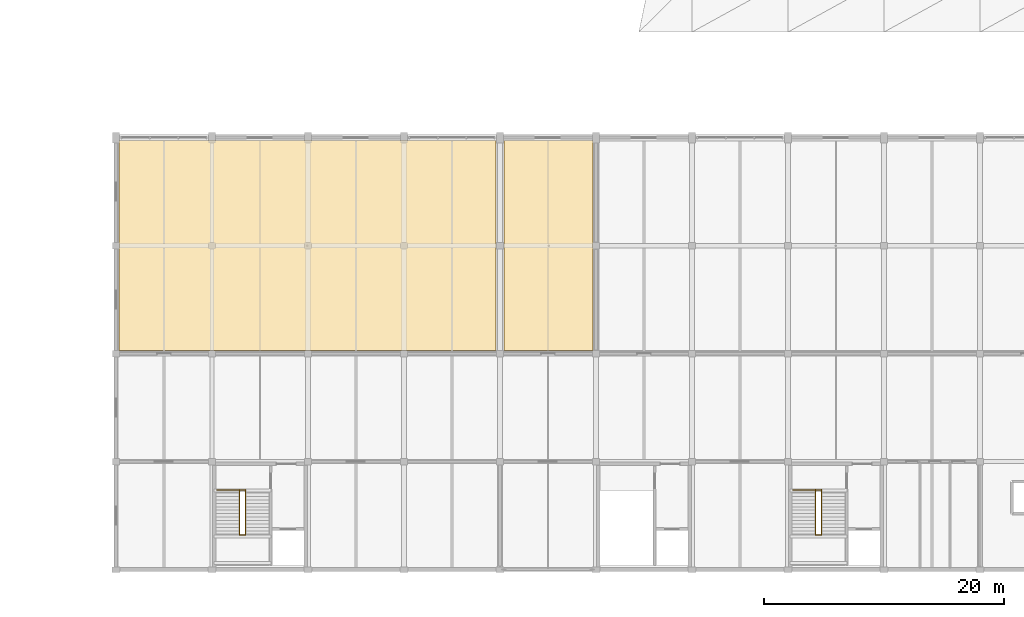
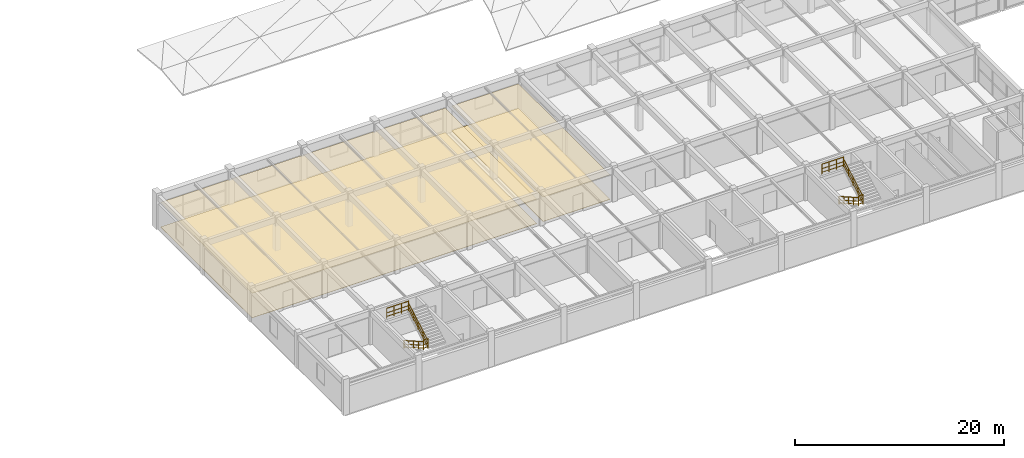
# One storey, part 60 of 63: 8 railings, 4 coverings.
"""IFC4 building model written with IfcOpenShell, lengths in metres."""

from ifc_helpers import new_model, si_unit, direction, frame, origin, origin_2d, place, context, subcontext, project, spatial, polyline, circle, outline, extrude, material, layer, layer_set, type_object, element, save


model = new_model("IFC4")

# Units and contexts
model_context = context("Model", 3, precision=1e-05, world=origin(), true_north=direction((0.0, 1.0)))
body_context = subcontext(model_context, "Body", "Model", "MODEL_VIEW")
ifc_project = project(units=[si_unit("LENGTHUNIT", "METRE"), si_unit("AREAUNIT", "SQUARE_METRE"), si_unit("VOLUMEUNIT", "CUBIC_METRE"), si_unit("PLANEANGLEUNIT", "RADIAN"), si_unit("MASSUNIT", "GRAM", prefix="KILO")], contexts=[model_context])

# Site, building, storey
site_placement = place(None, origin())
site = spatial("IfcSite", under=ifc_project, at=site_placement, CompositionType="ELEMENT")
building_placement = place(site_placement, origin())
building = spatial("IfcBuilding", under=site, at=building_placement, Name="Varnabhumi Central Station", CompositionType="ELEMENT")
storey_placement = place(building_placement, frame((0.0, 0.0, 20.39990234375)))
storey = spatial("IfcBuildingStorey", under=building, at=storey_placement, Name="L04", CompositionType="ELEMENT", Elevation=20.39990234375)

# Coverings
ifc_material_1 = material(Name="Mineral-fibre acoustic tile")
ifc_layer_1 = layer(ifc_material_1, 0.02490234375, Name="Mineral-fibre acoustic tile")
ifc_layer_set_1 = layer_set([ifc_layer_1], Name="Mineral-fibre acoustic tile")
covering_type_1 = type_object("IfcCoveringType", Name="COV-CEIL-ACOUSTIC", PredefinedType="CEILING", material=ifc_layer_set_1)
covering_1_placement = place(storey_placement, frame((0.0, 0.0, 2.8701171875)))
element("IfcCovering", 1, at=covering_1_placement, inside=storey, type_object=covering_type_1, Name="Electronic Interlocking and Station Kavach Relay Room Acoustic Ceiling", PredefinedType="CEILING", context=body_context, shape_type="SweptSolid", body=[
    extrude(outline(polyline([(32.25, 18.25), (63.64990234375, 18.25), (63.64990234375, 35.75), (32.25, 35.75), (32.25, 18.25)])), origin(), (0.0, 0.0, 1.0), 0.02490234375),
])
covering_2_placement = place(storey_placement, frame((0.0, 0.0, 2.8701171875)))
element("IfcCovering", 2, at=covering_2_placement, inside=storey, type_object=covering_type_1, Name="Electronic Interlocking and Station Kavach Relay Room Acoustic Ceiling", PredefinedType="CEILING", context=body_context, shape_type="SweptSolid", body=[
    extrude(outline(polyline([(64.35009765625, 18.25), (71.75, 18.25), (71.75, 35.75), (64.35009765625, 35.75), (64.35009765625, 18.25)])), origin(), (0.0, 0.0, 1.0), 0.02490234375),
])
ifc_material_2 = material(Name="Vitrified granite stone flooring", Category="masonry")
ifc_layer_2 = layer(ifc_material_2, 0.030029296875, Name="Vitrified granite stone flooring", Category="masonry")
ifc_layer_set_2 = layer_set([ifc_layer_2], Name="Vitrified granite stone flooring")
covering_type_2 = type_object("IfcCoveringType", Name="COV-FLOR-GRANITE", PredefinedType="FLOORING", material=ifc_layer_set_2)
covering_3_placement = place(storey_placement, origin())
element("IfcCovering", 3, at=covering_3_placement, inside=storey, type_object=covering_type_2, Name="Electronic Interlocking and Station Kavach Relay Room Granite Flooring", PredefinedType="FLOORING", context=body_context, shape_type="SweptSolid", body=[
    extrude(outline(polyline([(32.25, 18.25), (63.64990234375, 18.25), (63.64990234375, 35.75), (32.25, 35.75), (32.25, 18.25)])), origin(), (0.0, 0.0, 1.0), 0.030029296875),
])
covering_4_placement = place(storey_placement, origin())
element("IfcCovering", 4, at=covering_4_placement, inside=storey, type_object=covering_type_2, Name="Electronic Interlocking and Station Kavach Relay Room Granite Flooring", PredefinedType="FLOORING", context=body_context, shape_type="SweptSolid", body=[
    extrude(outline(polyline([(64.35009765625, 18.25), (71.75, 18.25), (71.75, 35.75), (64.35009765625, 35.75), (64.35009765625, 18.25)])), origin(), (0.0, 0.0, 1.0), 0.030029296875),
])

# Railings
ifc_material_3 = material(Name="Stainless steel Grade 316", Category="steel")
railing_type_1 = type_object("IfcRailingType", Name="RAIL-STAIR-GRD-1150", PredefinedType="GUARDRAIL", material=ifc_material_3)
railing_1_placement = place(storey_placement, frame((42.300048828125, 2.89501953125, 2.10009765625)))
element("IfcRailing", 5, at=railing_1_placement, inside=storey, type_object=railing_type_1, Name="ST-S1 L04 Half-Landing Well Guard", PredefinedType="GUARDRAIL", context=body_context, shape_type="SweptSolid", body=[
    extrude(circle(Radius=0.02392578125, at=origin_2d()), frame((0.0, 0.0, 1.1259765625), z_axis=(1.0, 0.0, 0.0), x_axis=(0.0, 1.0, 0.0)), (0.0, 0.0, 1.0), 0.5),
    extrude(circle(Radius=0.01416015625, at=origin_2d()), frame((0.0, 0.0, 0.597900390625), z_axis=(1.0, 0.0, 0.0), x_axis=(0.0, 1.0, 0.0)), (0.0, 0.0, 1.0), 0.5),
    extrude(circle(Radius=0.01416015625, at=origin_2d()), frame((0.0, 0.0, 0.18408203125), z_axis=(1.0, 0.0, 0.0), x_axis=(0.0, 1.0, 0.0)), (0.0, 0.0, 1.0), 0.5),
    extrude(circle(Radius=0.02099609375, at=origin_2d()), origin(), (0.0, 0.0, 1.0), 1.101806640625),
    extrude(circle(Radius=0.02099609375, at=origin_2d()), frame((0.5, 0.0, 0.0)), (0.0, 0.0, 1.0), 1.101806640625),
])
railing_2_placement = place(storey_placement, frame((40.39990234375, 6.639892578125, 4.2001953125)))
element("IfcRailing", 6, at=railing_2_placement, inside=storey, type_object=railing_type_1, Name="ST-S1 Top Well Guard", PredefinedType="GUARDRAIL", context=body_context, shape_type="SweptSolid", body=[
    extrude(circle(Radius=0.02392578125, at=origin_2d()), frame((0.0, 0.0, 1.1259765625), z_axis=(1.0, 0.0, 0.0), x_axis=(0.0, 1.0, 0.0)), (0.0, 0.0, 1.0), 2.400146484375),
    extrude(circle(Radius=0.01416015625, at=origin_2d()), frame((0.0, 0.0, 0.597900390625), z_axis=(1.0, 0.0, 0.0), x_axis=(0.0, 1.0, 0.0)), (0.0, 0.0, 1.0), 2.400146484375),
    extrude(circle(Radius=0.01416015625, at=origin_2d()), frame((0.0, 0.0, 0.18408203125), z_axis=(1.0, 0.0, 0.0), x_axis=(0.0, 1.0, 0.0)), (0.0, 0.0, 1.0), 2.400146484375),
    extrude(circle(Radius=0.02099609375, at=origin_2d()), origin(), (0.0, 0.0, 1.0), 1.101806640625),
    extrude(circle(Radius=0.02099609375, at=origin_2d()), frame((0.800048828125, 0.0, 0.0)), (0.0, 0.0, 1.0), 1.101806640625),
    extrude(circle(Radius=0.02099609375, at=origin_2d()), frame((1.60009765625, 0.0, 0.0)), (0.0, 0.0, 1.0), 1.101806640625),
    extrude(circle(Radius=0.02099609375, at=origin_2d()), frame((2.400146484375, 0.0, 0.0)), (0.0, 0.0, 1.0), 1.101806640625),
])
railing_3_placement = place(storey_placement, frame((90.300048828125, 2.89501953125, 2.10009765625)))
element("IfcRailing", 7, at=railing_3_placement, inside=storey, type_object=railing_type_1, Name="ST-S2 L04 Half-Landing Well Guard", PredefinedType="GUARDRAIL", context=body_context, shape_type="SweptSolid", body=[
    extrude(circle(Radius=0.02392578125, at=origin_2d()), frame((0.0, 0.0, 1.1259765625), z_axis=(1.0, 0.0, 0.0), x_axis=(0.0, 1.0, 0.0)), (0.0, 0.0, 1.0), 0.5),
    extrude(circle(Radius=0.01416015625, at=origin_2d()), frame((0.0, 0.0, 0.597900390625), z_axis=(1.0, 0.0, 0.0), x_axis=(0.0, 1.0, 0.0)), (0.0, 0.0, 1.0), 0.5),
    extrude(circle(Radius=0.01416015625, at=origin_2d()), frame((0.0, 0.0, 0.18408203125), z_axis=(1.0, 0.0, 0.0), x_axis=(0.0, 1.0, 0.0)), (0.0, 0.0, 1.0), 0.5),
    extrude(circle(Radius=0.02099609375, at=origin_2d()), origin(), (0.0, 0.0, 1.0), 1.101806640625),
    extrude(circle(Radius=0.02099609375, at=origin_2d()), frame((0.5, 0.0, 0.0)), (0.0, 0.0, 1.0), 1.101806640625),
])
railing_4_placement = place(storey_placement, frame((88.39990234375, 6.639892578125, 4.2001953125)))
element("IfcRailing", 8, at=railing_4_placement, inside=storey, type_object=railing_type_1, Name="ST-S2 Top Well Guard", PredefinedType="GUARDRAIL", context=body_context, shape_type="SweptSolid", body=[
    extrude(circle(Radius=0.02392578125, at=origin_2d()), frame((0.0, 0.0, 1.1259765625), z_axis=(1.0, 0.0, 0.0), x_axis=(0.0, 1.0, 0.0)), (0.0, 0.0, 1.0), 2.400146484375),
    extrude(circle(Radius=0.01416015625, at=origin_2d()), frame((0.0, 0.0, 0.597900390625), z_axis=(1.0, 0.0, 0.0), x_axis=(0.0, 1.0, 0.0)), (0.0, 0.0, 1.0), 2.400146484375),
    extrude(circle(Radius=0.01416015625, at=origin_2d()), frame((0.0, 0.0, 0.18408203125), z_axis=(1.0, 0.0, 0.0), x_axis=(0.0, 1.0, 0.0)), (0.0, 0.0, 1.0), 2.400146484375),
    extrude(circle(Radius=0.02099609375, at=origin_2d()), origin(), (0.0, 0.0, 1.0), 1.101806640625),
    extrude(circle(Radius=0.02099609375, at=origin_2d()), frame((0.800048828125, 0.0, 0.0)), (0.0, 0.0, 1.0), 1.101806640625),
    extrude(circle(Radius=0.02099609375, at=origin_2d()), frame((1.60009765625, 0.0, 0.0)), (0.0, 0.0, 1.0), 1.101806640625),
    extrude(circle(Radius=0.02099609375, at=origin_2d()), frame((2.400146484375, 0.0, 0.0)), (0.0, 0.0, 1.0), 1.101806640625),
])
railing_type_2 = type_object("IfcRailingType", Name="RAIL-STAIR-HR-920", PredefinedType="HANDRAIL", material=ifc_material_3)
railing_5_placement = place(storey_placement, frame((42.300048828125, 6.659912109375, 0.0)))
element("IfcRailing", 9, at=railing_5_placement, inside=storey, type_object=railing_type_2, Name="ST-S1 L04 Flight 1 Handrail", PredefinedType="HANDRAIL", context=body_context, shape_type="SweptSolid", body=[
    extrude(circle(Radius=0.02392578125, at=origin_2d()), frame((0.0, 0.0, 0.89599609375), z_axis=(0.0, -0.869952506034, 0.493135516106), x_axis=(1.0, 0.0, 0.0)), (0.0, 0.0, 1.0), 4.258544921875),
    extrude(circle(Radius=0.01416015625, at=origin_2d()), frame((0.0, 0.0, 0.478271484375), z_axis=(0.0, -0.869952506034, 0.493135516106), x_axis=(1.0, 0.0, 0.0)), (0.0, 0.0, 1.0), 4.258544921875),
    extrude(circle(Radius=0.01416015625, at=origin_2d()), frame((0.0, 0.0, 0.147216796875), z_axis=(0.0, -0.869952506034, 0.493135516106), x_axis=(1.0, 0.0, 0.0)), (0.0, 0.0, 1.0), 4.258544921875),
    extrude(circle(Radius=0.02099609375, at=origin_2d()), origin(), (0.0, 0.0, 1.0), 0.871826171875),
    extrude(circle(Radius=0.02099609375, at=origin_2d()), frame((0.0, -0.92626953125, 0.52490234375)), (0.0, 0.0, 1.0), 0.871826171875),
    extrude(circle(Radius=0.02099609375, at=origin_2d()), frame((0.0, -1.8525390625, 1.050048828125)), (0.0, 0.0, 1.0), 0.871826171875),
    extrude(circle(Radius=0.02099609375, at=origin_2d()), frame((0.0, -2.778564453125, 1.5751953125)), (0.0, 0.0, 1.0), 0.871826171875),
    extrude(circle(Radius=0.02099609375, at=origin_2d()), frame((0.0, -3.704833984375, 2.10009765625)), (0.0, 0.0, 1.0), 0.871826171875),
])
railing_6_placement = place(storey_placement, frame((42.800048828125, 2.955078125, 2.10009765625)))
element("IfcRailing", 10, at=railing_6_placement, inside=storey, type_object=railing_type_2, Name="ST-S1 L04 Flight 2 Handrail", PredefinedType="HANDRAIL", context=body_context, shape_type="SweptSolid", body=[
    extrude(circle(Radius=0.02392578125, at=origin_2d()), frame((0.0, 0.0, 0.89599609375), z_axis=(0.0, 0.869952506034, 0.493135516106), x_axis=(-1.0, 0.0, 0.0)), (0.0, 0.0, 1.0), 4.258544921875),
    extrude(circle(Radius=0.01416015625, at=origin_2d()), frame((0.0, 0.0, 0.478271484375), z_axis=(0.0, 0.869952506034, 0.493135516106), x_axis=(-1.0, 0.0, 0.0)), (0.0, 0.0, 1.0), 4.258544921875),
    extrude(circle(Radius=0.01416015625, at=origin_2d()), frame((0.0, 0.0, 0.147216796875), z_axis=(0.0, 0.869952506034, 0.493135516106), x_axis=(-1.0, 0.0, 0.0)), (0.0, 0.0, 1.0), 4.258544921875),
    extrude(circle(Radius=0.02099609375, at=origin_2d()), origin(), (0.0, 0.0, 1.0), 0.871826171875),
    extrude(circle(Radius=0.02099609375, at=origin_2d()), frame((0.0, 0.92626953125, 0.52490234375)), (0.0, 0.0, 1.0), 0.871826171875),
    extrude(circle(Radius=0.02099609375, at=origin_2d()), frame((0.0, 1.8525390625, 1.050048828125)), (0.0, 0.0, 1.0), 0.871826171875),
    extrude(circle(Radius=0.02099609375, at=origin_2d()), frame((0.0, 2.778564453125, 1.5751953125)), (0.0, 0.0, 1.0), 0.871826171875),
    extrude(circle(Radius=0.02099609375, at=origin_2d()), frame((0.0, 3.704833984375, 2.10009765625)), (0.0, 0.0, 1.0), 0.871826171875),
])
railing_7_placement = place(storey_placement, frame((90.300048828125, 6.659912109375, 0.0)))
element("IfcRailing", 11, at=railing_7_placement, inside=storey, type_object=railing_type_2, Name="ST-S2 L04 Flight 1 Handrail", PredefinedType="HANDRAIL", context=body_context, shape_type="SweptSolid", body=[
    extrude(circle(Radius=0.02392578125, at=origin_2d()), frame((0.0, 0.0, 0.89599609375), z_axis=(0.0, -0.869952506034, 0.493135516106), x_axis=(1.0, 0.0, 0.0)), (0.0, 0.0, 1.0), 4.258544921875),
    extrude(circle(Radius=0.01416015625, at=origin_2d()), frame((0.0, 0.0, 0.478271484375), z_axis=(0.0, -0.869952506034, 0.493135516106), x_axis=(1.0, 0.0, 0.0)), (0.0, 0.0, 1.0), 4.258544921875),
    extrude(circle(Radius=0.01416015625, at=origin_2d()), frame((0.0, 0.0, 0.147216796875), z_axis=(0.0, -0.869952506034, 0.493135516106), x_axis=(1.0, 0.0, 0.0)), (0.0, 0.0, 1.0), 4.258544921875),
    extrude(circle(Radius=0.02099609375, at=origin_2d()), origin(), (0.0, 0.0, 1.0), 0.871826171875),
    extrude(circle(Radius=0.02099609375, at=origin_2d()), frame((0.0, -0.92626953125, 0.52490234375)), (0.0, 0.0, 1.0), 0.871826171875),
    extrude(circle(Radius=0.02099609375, at=origin_2d()), frame((0.0, -1.8525390625, 1.050048828125)), (0.0, 0.0, 1.0), 0.871826171875),
    extrude(circle(Radius=0.02099609375, at=origin_2d()), frame((0.0, -2.778564453125, 1.5751953125)), (0.0, 0.0, 1.0), 0.871826171875),
    extrude(circle(Radius=0.02099609375, at=origin_2d()), frame((0.0, -3.704833984375, 2.10009765625)), (0.0, 0.0, 1.0), 0.871826171875),
])
railing_8_placement = place(storey_placement, frame((90.800048828125, 2.955078125, 2.10009765625)))
element("IfcRailing", 12, at=railing_8_placement, inside=storey, type_object=railing_type_2, Name="ST-S2 L04 Flight 2 Handrail", PredefinedType="HANDRAIL", context=body_context, shape_type="SweptSolid", body=[
    extrude(circle(Radius=0.02392578125, at=origin_2d()), frame((0.0, 0.0, 0.89599609375), z_axis=(0.0, 0.869952506034, 0.493135516106), x_axis=(-1.0, 0.0, 0.0)), (0.0, 0.0, 1.0), 4.258544921875),
    extrude(circle(Radius=0.01416015625, at=origin_2d()), frame((0.0, 0.0, 0.478271484375), z_axis=(0.0, 0.869952506034, 0.493135516106), x_axis=(-1.0, 0.0, 0.0)), (0.0, 0.0, 1.0), 4.258544921875),
    extrude(circle(Radius=0.01416015625, at=origin_2d()), frame((0.0, 0.0, 0.147216796875), z_axis=(0.0, 0.869952506034, 0.493135516106), x_axis=(-1.0, 0.0, 0.0)), (0.0, 0.0, 1.0), 4.258544921875),
    extrude(circle(Radius=0.02099609375, at=origin_2d()), origin(), (0.0, 0.0, 1.0), 0.871826171875),
    extrude(circle(Radius=0.02099609375, at=origin_2d()), frame((0.0, 0.92626953125, 0.52490234375)), (0.0, 0.0, 1.0), 0.871826171875),
    extrude(circle(Radius=0.02099609375, at=origin_2d()), frame((0.0, 1.8525390625, 1.050048828125)), (0.0, 0.0, 1.0), 0.871826171875),
    extrude(circle(Radius=0.02099609375, at=origin_2d()), frame((0.0, 2.778564453125, 1.5751953125)), (0.0, 0.0, 1.0), 0.871826171875),
    extrude(circle(Radius=0.02099609375, at=origin_2d()), frame((0.0, 3.704833984375, 2.10009765625)), (0.0, 0.0, 1.0), 0.871826171875),
])

save(model, "model.ifc")
